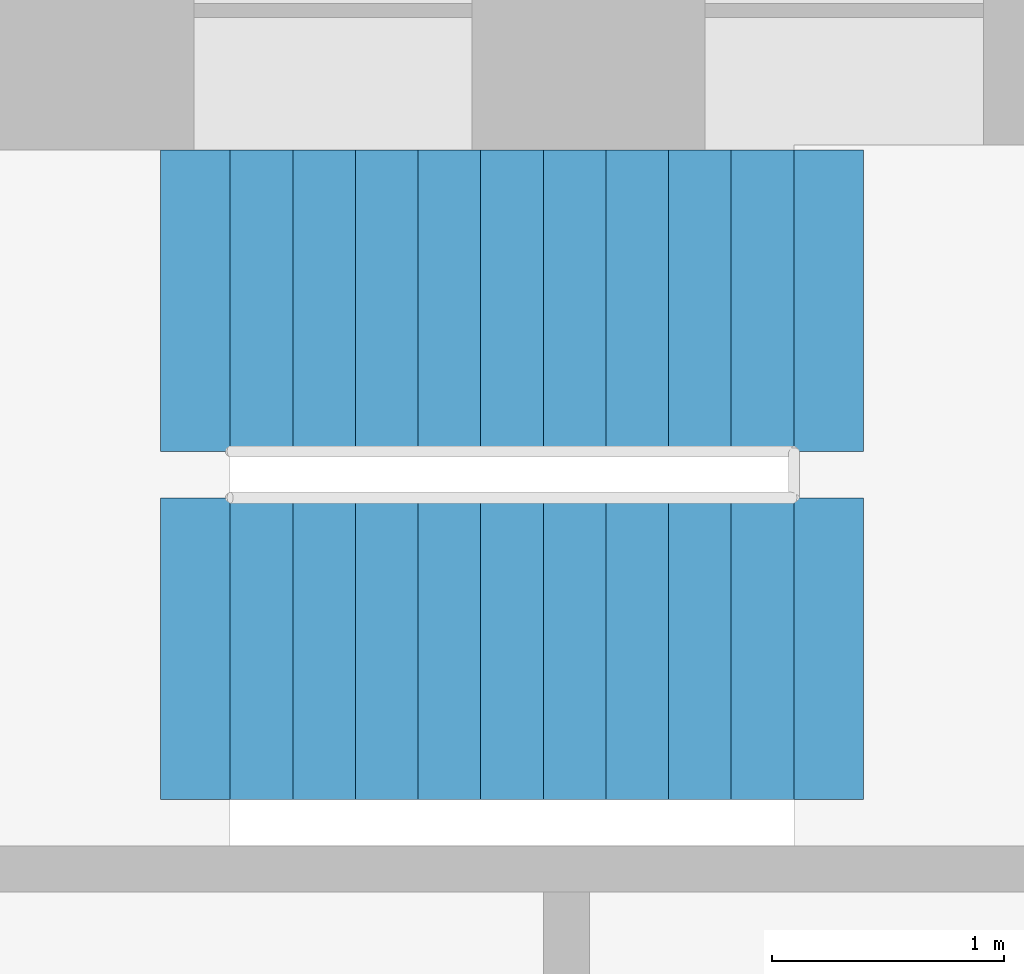
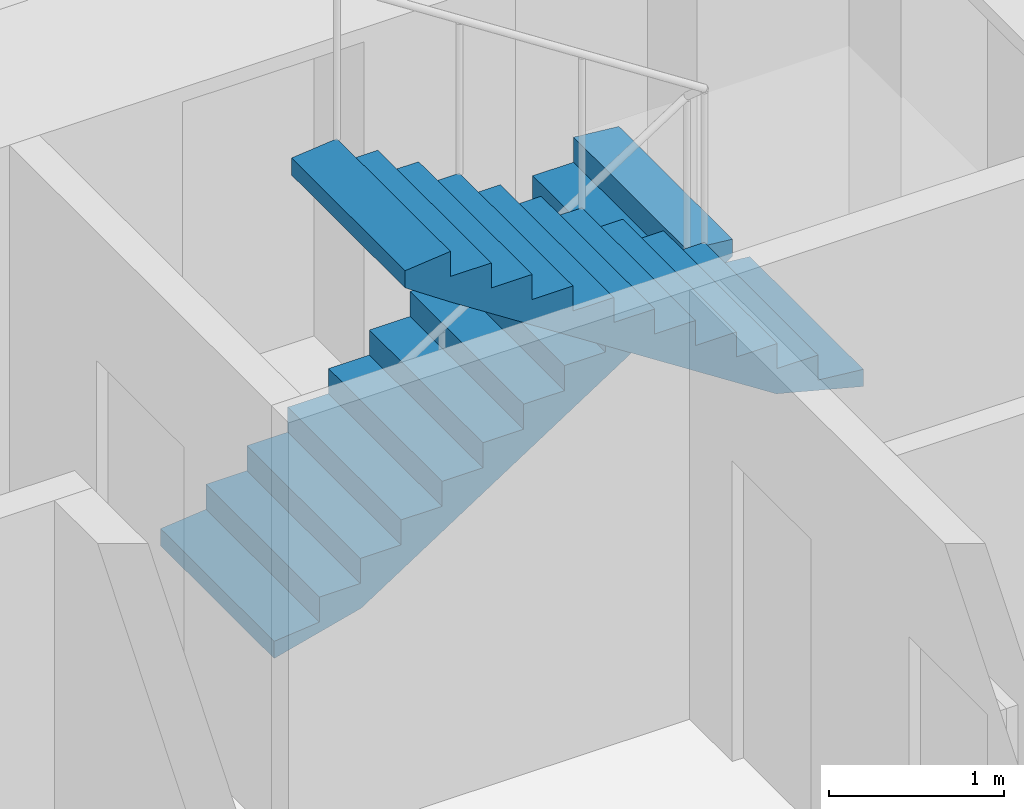
# One storey, part 11 of 21: 2 stair flights, 1 element without a shape of its own.
"""IFC4 building model written with IfcOpenShell, lengths in metres."""

from ifc_helpers import new_model, si_unit, direction, frame, origin, place, context, subcontext, project, spatial, polyline, outline, extrude, material, type_object, element, aggregate, save


model = new_model("IFC4")

# Units and contexts
model_context = context("Model", 3, precision=1e-05, world=origin(), true_north=direction((0.0, 1.0)))
body_context = subcontext(model_context, "Body", "Model", "MODEL_VIEW")
ifc_project = project(units=[si_unit("LENGTHUNIT", "METRE"), si_unit("AREAUNIT", "SQUARE_METRE"), si_unit("VOLUMEUNIT", "CUBIC_METRE"), si_unit("PLANEANGLEUNIT", "RADIAN"), si_unit("MASSUNIT", "GRAM", prefix="KILO")], contexts=[model_context])

# Site, building, storey
site_placement = place(None, origin())
site = spatial("IfcSite", under=ifc_project, at=site_placement, CompositionType="ELEMENT")
building_placement = place(site_placement, origin())
building = spatial("IfcBuilding", under=site, at=building_placement, Name="Vermilion Gate Residences", CompositionType="ELEMENT")
storey_placement = place(building_placement, frame((0.0, 0.0, 70.699951171875)))
storey = spatial("IfcBuildingStorey", under=building, at=storey_placement, Name="L17", CompositionType="ELEMENT", Elevation=70.699951171875)

# Stair, stair flights
ifc_material_1 = material(Name="Concrete C50", Category="concrete")
stair_type = type_object("IfcStairType", Name="SPECIAL ESCAPE STAIR 1300", PredefinedType="HALF_TURN_STAIR", material=ifc_material_1)
stair_placement = place(storey_placement, origin())
stair = element("IfcStair", 1, at=stair_placement, inside=storey, type_object=stair_type, Name="Special escape stair STB1-17", PredefinedType="HALF_TURN_STAIR")
ifc_material_2 = material(Name="Concrete C50", Category="concrete")
stair_flight_type = type_object("IfcStairFlightType", Name="STAIR FLIGHT 1300 RC C50", PredefinedType="STRAIGHT", material=ifc_material_2)
stair_flight_1_placement = place(storey_placement, frame((19.75, 56.949951171875, 0.0), z_axis=(0.0, 0.0, 1.0), x_axis=(1.0, 0.0, 0.0)))
stair_flight_1 = element("IfcStairFlight", 2, at=stair_flight_1_placement, type_object=stair_flight_type, Name="STB1-17 flight 1", NumberOfRisers=10, NumberOfTreads=9, PredefinedType="STRAIGHT", RiserHeight=0.175, TreadLength=0.27, context=body_context, shape_type="SweptSolid", body=[
    extrude(outline(polyline([(-0.300048828125, -0.14990234375), (-0.300048828125, -0.030029296875), (0.0, 0.0), (0.0, 0.175048828125), (0.27001953125, 0.175048828125), (0.27001953125, 0.35009765625), (0.5400390625, 0.35009765625), (0.5400390625, 0.52490234375), (0.81005859375, 0.52490234375), (0.81005859375, 0.699951171875), (1.080078125, 0.699951171875), (1.080078125, 0.875), (1.35009765625, 0.875), (1.35009765625, 1.050048828125), (1.6201171875, 1.050048828125), (1.6201171875, 1.22509765625), (1.889892578125, 1.22509765625), (1.889892578125, 1.39990234375), (2.159912109375, 1.39990234375), (2.159912109375, 1.574951171875), (2.429931640625, 1.574951171875), (2.429931640625, 1.75), (2.72998046875, 1.719970703125), (2.72998046875, 1.60009765625), (2.429931640625, 1.396484375), (0.275634765625, 0.0), (-0.300048828125, -0.14990234375)])), frame((0.0, 0.64990234375, 0.0), z_axis=(0.0, -1.0, 0.0), x_axis=(1.0, 0.0, 0.0)), (0.0, 0.0, 1.0), 1.300048828125),
])
stair_flight_2_placement = place(storey_placement, frame((22.179931640625, 55.449951171875, 1.75), z_axis=(0.0, 0.0, 1.0), x_axis=(-1.0, 0.0, 0.0)))
stair_flight_2 = element("IfcStairFlight", 3, at=stair_flight_2_placement, type_object=stair_flight_type, Name="STB1-17 flight 2", NumberOfRisers=10, NumberOfTreads=9, PredefinedType="STRAIGHT", RiserHeight=0.175, TreadLength=0.27, context=body_context, shape_type="SweptSolid", body=[
    extrude(outline(polyline([(-0.300048828125, -0.14990234375), (-0.300048828125, -0.030029296875), (0.0, 0.0), (0.0, 0.175048828125), (0.27001953125, 0.175048828125), (0.27001953125, 0.35009765625), (0.5400390625, 0.35009765625), (0.5400390625, 0.52490234375), (0.81005859375, 0.52490234375), (0.81005859375, 0.699951171875), (1.080078125, 0.699951171875), (1.080078125, 0.875), (1.35009765625, 0.875), (1.35009765625, 1.050048828125), (1.6201171875, 1.050048828125), (1.6201171875, 1.22509765625), (1.889892578125, 1.22509765625), (1.889892578125, 1.39990234375), (2.159912109375, 1.39990234375), (2.159912109375, 1.574951171875), (2.429931640625, 1.574951171875), (2.429931640625, 1.75), (2.72998046875, 1.719970703125), (2.72998046875, 1.60009765625), (2.429931640625, 1.396484375), (0.275634765625, 0.0), (-0.300048828125, -0.14990234375)])), frame((0.0, 0.64990234375, 0.0), z_axis=(0.0, -1.0, 0.0), x_axis=(1.0, 0.0, 0.0)), (0.0, 0.0, 1.0), 1.300048828125),
])
aggregate(stair, [stair_flight_1, stair_flight_2])

save(model, "model.ifc")
